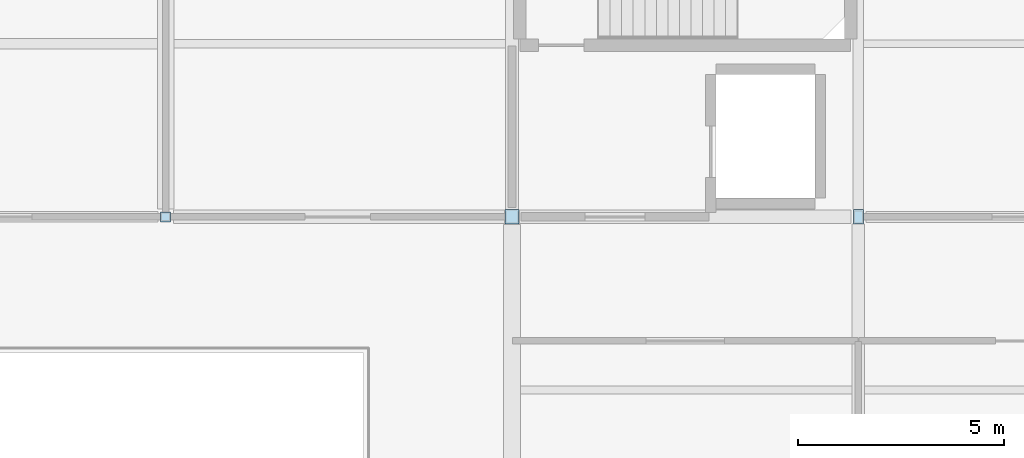
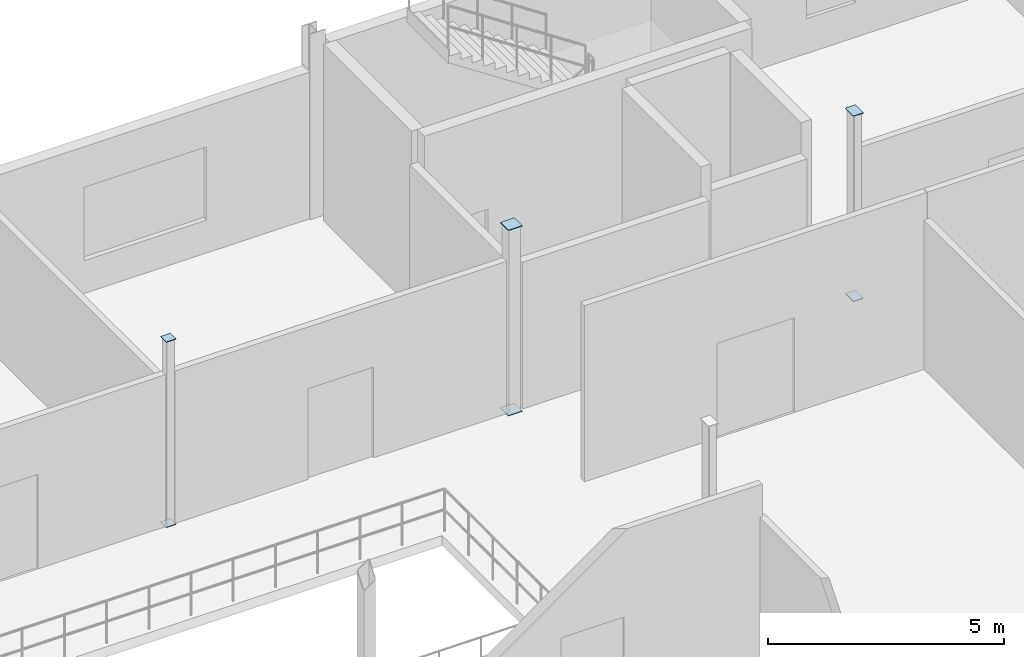
# One storey, part 23 of 45: 6 plates.
"""IFC4 building model written with IfcOpenShell, lengths in metres."""

from ifc_helpers import new_model, si_unit, direction, frame, origin, origin_2d, place, context, subcontext, project, spatial, rectangle, extrude, material, layer, layer_set, type_object, element, save


model = new_model("IFC4")

# Units and contexts
model_context = context("Model", 3, precision=1e-05, world=origin(), true_north=direction((0.0, 1.0)))
body_context = subcontext(model_context, "Body", "Model", "MODEL_VIEW")
ifc_project = project(units=[si_unit("LENGTHUNIT", "METRE"), si_unit("AREAUNIT", "SQUARE_METRE"), si_unit("VOLUMEUNIT", "CUBIC_METRE"), si_unit("PLANEANGLEUNIT", "RADIAN"), si_unit("MASSUNIT", "GRAM", prefix="KILO")], contexts=[model_context])

# Site, building, storey
site_placement = place(None, origin())
site = spatial("IfcSite", under=ifc_project, at=site_placement, CompositionType="ELEMENT")
building_placement = place(site_placement, origin())
building = spatial("IfcBuilding", under=site, at=building_placement, Name="Calvrana Isthmian Art Gallery", CompositionType="ELEMENT")
storey_placement = place(building_placement, frame((0.0, 0.0, 19.800048828125)))
storey = spatial("IfcBuildingStorey", under=building, at=storey_placement, Name="L04", CompositionType="ELEMENT", Elevation=19.800048828125)

# Plates
ifc_material = material(Name="Steel ASTM A572 Gr 50", Category="steel")
ifc_layer = layer(ifc_material, 0.01611328125, Name="Steel ASTM A572 Gr 50")
ifc_layer_set = layer_set([ifc_layer], Name="Steel ASTM A572 Gr 50")
plate_type = type_object("IfcPlateType", Name="PL-CAP-16", PredefinedType="SHEET", material=ifc_layer_set)
for number, where, z_axis, x_axis, name in (
    (1, (55.199951171875, 38.39990234375, -0.008056640625), (0.0, 0.0, 1.0), (1.0, 0.0, 0.0), "Hollow section end cap plate 103"),
    (2, (55.199951171875, 38.39990234375, 4.7919921875), (0.0, 0.0, 1.0), (1.0, 0.0, 0.0), "Hollow section end cap plate 104"),
):
    element("IfcPlate", number, at=place(storey_placement, frame(where, z_axis=z_axis, x_axis=x_axis)), inside=storey, type_object=plate_type, Name=name, PredefinedType="SHEET", context=body_context, shape_type="SweptSolid", body=[
        extrude(rectangle(XDim=0.2431640625, YDim=0.2431640625, at=origin_2d()), origin(), (0.0, 0.0, 1.0), 0.01611328125),
    ])
for number, where, z_axis, x_axis, name in (
    (3, (63.60009765625, 38.39990234375, -0.008056640625), (0.0, 0.0, 1.0), (1.0, 0.0, 0.0), "Hollow section end cap plate 135"),
    (4, (63.60009765625, 38.39990234375, 4.7919921875), (0.0, 0.0, 1.0), (1.0, 0.0, 0.0), "Hollow section end cap plate 136"),
):
    element("IfcPlate", number, at=place(storey_placement, frame(where, z_axis=z_axis, x_axis=x_axis)), inside=storey, type_object=plate_type, Name=name, PredefinedType="SHEET", context=body_context, shape_type="SweptSolid", body=[
        extrude(rectangle(XDim=0.3447265625, YDim=0.3447265625, at=origin_2d()), origin(), (0.0, 0.0, 1.0), 0.01611328125),
    ])
for number, where, z_axis, x_axis, name in (
    (5, (72.0, 38.39990234375, -0.008056640625), (0.0, 0.0, 1.0), (1.0, 0.0, 0.0), "Hollow section end cap plate 167"),
    (6, (72.0, 38.39990234375, 4.7919921875), (0.0, 0.0, 1.0), (1.0, 0.0, 0.0), "Hollow section end cap plate 168"),
):
    element("IfcPlate", number, at=place(storey_placement, frame(where, z_axis=z_axis, x_axis=x_axis)), inside=storey, type_object=plate_type, Name=name, PredefinedType="SHEET", context=body_context, shape_type="SweptSolid", body=[
        extrude(rectangle(XDim=0.2431640625, YDim=0.3447265625, at=origin_2d()), origin(), (0.0, 0.0, 1.0), 0.01611328125),
    ])

save(model, "model.ifc")
